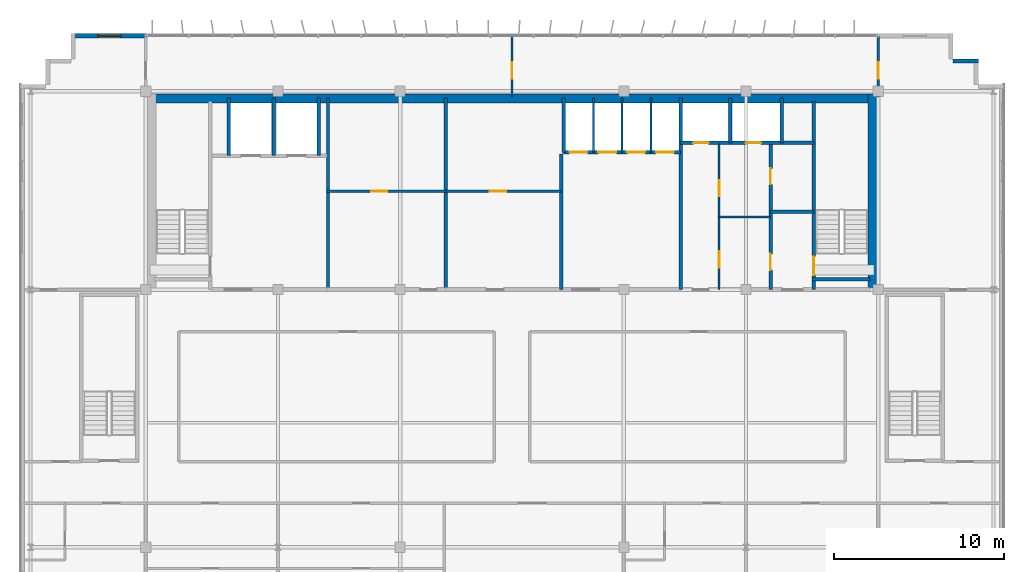
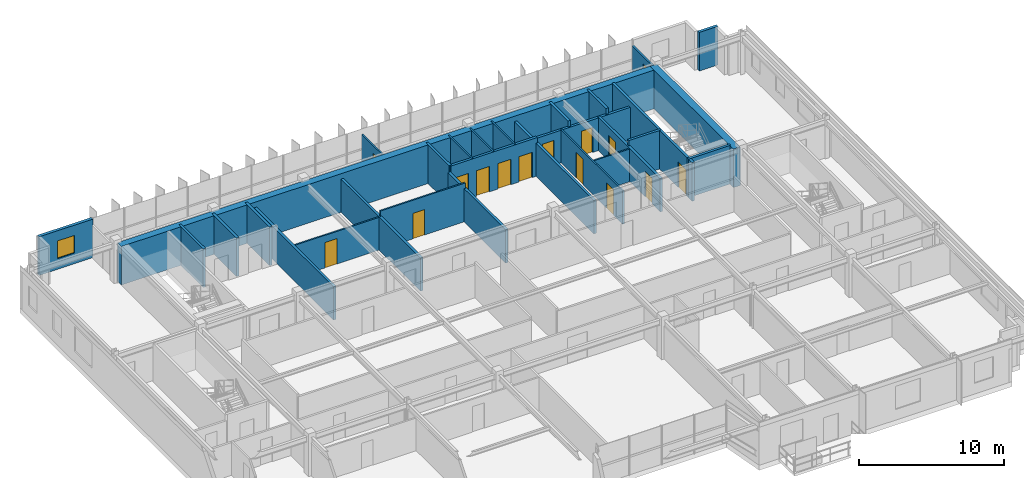
# One storey, part 24 of 28: 29 walls, 15 doors, 1 window, 16 openings.
"""IFC4 building model written with IfcOpenShell, lengths in metres."""

from ifc_helpers import new_model, si_unit, direction, frame, frame_2d, origin, place, context, subcontext, project, spatial, rectangle, extrude, source, transform, mapped, material, layer, layer_set, type_object, element, fill, save


model = new_model("IFC4")

# Units and contexts
model_context = context("Model", 3, precision=1e-05, world=origin(), true_north=direction((0.0, 1.0)))
body_context = subcontext(model_context, "Body", "Model", "MODEL_VIEW")
ifc_project = project(units=[si_unit("LENGTHUNIT", "METRE"), si_unit("AREAUNIT", "SQUARE_METRE"), si_unit("VOLUMEUNIT", "CUBIC_METRE"), si_unit("PLANEANGLEUNIT", "RADIAN"), si_unit("MASSUNIT", "GRAM", prefix="KILO")], contexts=[model_context])

# Site, building, storey
site_placement = place(None, origin())
site = spatial("IfcSite", under=ifc_project, at=site_placement, CompositionType="ELEMENT")
building_placement = place(site_placement, origin())
building = spatial("IfcBuilding", under=site, at=building_placement, Name="Trelvane Seafront Commons", CompositionType="ELEMENT")
storey_placement = place(building_placement, frame((0.0, 0.0, 295.5)))
storey = spatial("IfcBuildingStorey", under=building, at=storey_placement, Name="L77", CompositionType="ELEMENT", Elevation=295.5)

# Wall, opening, window
ifc_material_1 = material(Name="Precast concrete C40/50", Category="concrete")
ifc_layer_1 = layer(ifc_material_1, 0.239990234375, Name="ARCH-WALL-EXT240")
ifc_layer_set_1 = layer_set([ifc_layer_1], Name="Precast concrete C40/50")
wall_type_1 = type_object("IfcWallType", Name="ARCH-WALL-EXT240", PredefinedType="SOLIDWALL", material=ifc_layer_set_1)
wall_1_placement = place(storey_placement, frame((11.300048828125, 48.3701171875, 0.0), z_axis=(0.0, 0.0, 1.0), x_axis=(1.0, 0.0, 0.0)))
wall_1 = element("IfcWall", 1, at=wall_1_placement, inside=storey, type_object=wall_type_1, Name="EW-L77-NW-1557", PredefinedType="SOLIDWALL", context=body_context, shape_type="SweptSolid", body=[
    extrude(rectangle(XDim=4.300048828125, YDim=0.239990234375, at=frame_2d((2.14990234375, 0.0))), origin(), (0.0, 0.0, 1.0), 3.260009765625),
])
opening_1_placement = place(wall_1_placement, frame((1.47509765625, 0.0, 0.89990234375)))
opening_1 = element("IfcOpeningElement", 2, at=opening_1_placement, cuts=wall_1, Name="Opening W09", PredefinedType="OPENING", context=body_context, shape_type="SweptSolid", body=[
    extrude(rectangle(XDim=1.35009765625, YDim=1.5, at=frame_2d((0.675048828125, 0.75))), frame((0.0, 0.1298828125, 0.0), z_axis=(0.0, -1.0, 0.0), x_axis=(1.0, 0.0, 0.0)), (0.0, 0.0, 1.0), 0.260009765625),
])
ifc_material_2 = material(Name="Low-E coastal double glazing", Category="glass")
window_type = type_object("IfcWindowType", Name="ARCH-WIN-W09", PartitioningType="SINGLE_PANEL", PredefinedType="WINDOW", material=ifc_material_2)
shared_shape_1 = source(origin(), body_context, "Body", "SweptSolid", [
    extrude(rectangle(XDim=1.35009765625, YDim=1.5, at=frame_2d((0.675048828125, 0.75))), frame((0.0, 0.030029296875, 0.0), z_axis=(0.0, -1.0, 0.0), x_axis=(1.0, 0.0, 0.0)), (0.0, 0.0, 1.0), 0.06005859375),
])
window_placement = place(opening_1_placement, origin())
window = element("IfcWindow", 3, at=window_placement, inside=storey, type_object=window_type, Name="WIN-L77-01838", OverallHeight=1.5, OverallWidth=1.35009765625, PartitioningType="SINGLE_PANEL", PredefinedType="WINDOW", context=body_context, shape_type="MappedRepresentation", body=[
    mapped(shared_shape_1, transform((0.0, 0.0, 0.0), x_axis=(1.0, 0.0, 0.0), y_axis=(0.0, 1.0, 0.0), z_axis=(0.0, 0.0, 1.0), scale=1.0)),
])
fill(opening_1, window)

# Wall
wall_2_placement = place(storey_placement, frame((63.199951171875, 46.8798828125, 0.0), z_axis=(0.0, 0.0, 1.0), x_axis=(1.0, 0.0, 0.0)))
element("IfcWall", 4, at=wall_2_placement, inside=storey, type_object=wall_type_1, Name="EW-L77-01568", PredefinedType="SOLIDWALL", context=body_context, shape_type="SweptSolid", body=[
    extrude(rectangle(XDim=1.5, YDim=0.239990234375, at=frame_2d((0.75, 0.0))), origin(), (0.0, 0.0, 1.0), 3.260009765625),
])

# Wall, openings, doors
ifc_material_3 = material(Name="Concrete C40/50", Category="concrete")
ifc_layer_2 = layer(ifc_material_3, 0.199951171875, Name="ARCH-WALL-FIRE200")
ifc_layer_set_2 = layer_set([ifc_layer_2], Name="Concrete C40/50")
wall_type_2 = type_object("IfcWallType", Name="ARCH-WALL-FIRE200", PredefinedType="PARTITIONING", material=ifc_layer_set_2)
wall_3_placement = place(storey_placement, frame((52.449951171875, 33.39990234375, 0.0), z_axis=(0.0, 0.0, 1.0), x_axis=(0.0, 1.0, 0.0)))
wall_3 = element("IfcWall", 5, at=wall_3_placement, inside=storey, type_object=wall_type_2, Name="W-L77-ST2V-W-038", PredefinedType="PARTITIONING", context=body_context, shape_type="SweptSolid", body=[
    extrude(rectangle(XDim=8.650146484375, YDim=0.199951171875, at=frame_2d((4.3251953125, 0.0))), origin(), (0.0, 0.0, 1.0), 2.81005859375),
])
opening_2_placement = place(wall_3_placement, frame((1.14990234375, 0.0, 0.0)))
opening_2 = element("IfcOpeningElement", 6, at=opening_2_placement, cuts=wall_3, Name="Opening FD-L77-19", PredefinedType="OPENING", context=body_context, shape_type="SweptSolid", body=[
    extrude(rectangle(XDim=0.949951171875, YDim=2.14990234375, at=frame_2d((0.47509765625, 1.074951171875))), frame((0.0, 0.10986328125, 0.0), z_axis=(0.0, -1.0, 0.0), x_axis=(1.0, 0.0, 0.0)), (0.0, 0.0, 1.0), 0.219970703125),
])
opening_3_placement = place(wall_3_placement, frame((6.199951171875, 0.0, 0.0)))
opening_3 = element("IfcOpeningElement", 7, at=opening_3_placement, cuts=wall_3, Name="Opening FD-L77-20", PredefinedType="OPENING", context=body_context, shape_type="SweptSolid", body=[
    extrude(rectangle(XDim=0.949951171875, YDim=2.14990234375, at=frame_2d((0.47509765625, 1.074951171875))), frame((0.0, 0.10986328125, 0.0), z_axis=(0.0, -1.0, 0.0), x_axis=(1.0, 0.0, 0.0)), (0.0, 0.0, 1.0), 0.219970703125),
])
ifc_material_4 = material(Name="Powder-coated aluminium frame", Category="aluminium")
door_type_1 = type_object("IfcDoorType", Name="ARCH-DR-FD60-950", OperationType="NOTDEFINED", PredefinedType="DOOR", material=ifc_material_4)
shared_shape_2 = source(origin(), body_context, "Body", "SweptSolid", [
    extrude(rectangle(XDim=0.949951171875, YDim=2.14990234375, at=frame_2d((0.47509765625, 1.074951171875))), frame((0.0, 0.02490234375, 0.0), z_axis=(0.0, -1.0, 0.0), x_axis=(1.0, 0.0, 0.0)), (0.0, 0.0, 1.0), 0.050048828125),
])
door_1_placement = place(opening_2_placement, origin())
door_1 = element("IfcDoor", 8, at=door_1_placement, inside=storey, type_object=door_type_1, Name="L77 Core Service Vestibule Link Door", OperationType="SINGLE_SWING_LEFT", OverallHeight=2.14990234375, OverallWidth=0.949951171875, PredefinedType="DOOR", context=body_context, shape_type="MappedRepresentation", body=[
    mapped(shared_shape_2, transform((0.0, 0.0, 0.0), x_axis=(1.0, 0.0, 0.0), y_axis=(0.0, 1.0, 0.0), z_axis=(0.0, 0.0, 1.0), scale=1.0)),
])
fill(opening_2, door_1)
door_2_placement = place(opening_3_placement, origin())
door_2 = element("IfcDoor", 9, at=door_2_placement, inside=storey, type_object=door_type_1, Name="L77 Cleaner Store Door", OperationType="SINGLE_SWING_RIGHT", OverallHeight=2.14990234375, OverallWidth=0.949951171875, PredefinedType="DOOR", context=body_context, shape_type="MappedRepresentation", body=[
    mapped(shared_shape_2, transform((0.0, 0.0, 0.0), x_axis=(1.0, 0.0, 0.0), y_axis=(0.0, 1.0, 0.0), z_axis=(0.0, 0.0, 1.0), scale=1.0)),
])
fill(opening_3, door_2)

# Wall
wall_4_placement = place(storey_placement, frame((52.449951171875, 38.0, 0.0), z_axis=(0.0, 0.0, 1.0), x_axis=(1.0, 0.0, 0.0)))
element("IfcWall", 10, at=wall_4_placement, inside=storey, type_object=wall_type_2, Name="W-L77-ST2V-N-039", PredefinedType="PARTITIONING", context=body_context, shape_type="SweptSolid", body=[
    extrude(rectangle(XDim=2.550048828125, YDim=0.199951171875, at=frame_2d((1.27490234375, 0.0))), origin(), (0.0, 0.0, 1.0), 3.260009765625),
])

# Wall, opening, door
ifc_material_5 = material(Name="Gypsum Drywall Acoustic Partition")
ifc_layer_3 = layer(ifc_material_5, 0.1201171875, Name="ARCH-WALL-PART120")
ifc_layer_set_3 = layer_set([ifc_layer_3], Name="Gypsum Drywall Acoustic Partition")
wall_type_3 = type_object("IfcWallType", Name="ARCH-WALL-PART120", PredefinedType="PARTITIONING", material=ifc_layer_set_3)
wall_5_placement = place(storey_placement, frame((26.300048828125, 39.199951171875, 0.0), z_axis=(0.0, 0.0, 1.0), x_axis=(1.0, 0.0, 0.0)))
wall_5 = element("IfcWall", 11, at=wall_5_placement, inside=storey, type_object=wall_type_3, Name="W-L77-FREED-PL-MID-022", PredefinedType="PARTITIONING", context=body_context, shape_type="SweptSolid", body=[
    extrude(rectangle(XDim=7.0, YDim=0.1201171875, at=frame_2d((3.5, 0.0))), origin(), (0.0, 0.0, 1.0), 2.760009765625),
])
opening_4_placement = place(wall_5_placement, frame((2.60009765625, 0.0, 0.0)))
opening_4 = element("IfcOpeningElement", 12, at=opening_4_placement, cuts=wall_5, Name="Opening D-L77-08", PredefinedType="OPENING", context=body_context, shape_type="SweptSolid", body=[
    extrude(rectangle(XDim=0.949951171875, YDim=2.14990234375, at=frame_2d((0.47509765625, 1.074951171875))), frame((0.0, 0.070068359375, 0.0), z_axis=(0.0, -1.0, 0.0), x_axis=(1.0, 0.0, 0.0)), (0.0, 0.0, 1.0), 0.14013671875),
])
ifc_material_6 = material(Name="Acoustic timber door leaf", Category="wood")
door_type_2 = type_object("IfcDoorType", Name="ARCH-DR-INT950", OperationType="NOTDEFINED", PredefinedType="DOOR", material=ifc_material_6)
door_3_placement = place(opening_4_placement, origin())
door_3 = element("IfcDoor", 13, at=door_3_placement, inside=storey, type_object=door_type_2, Name="L77 Housekeeping Store Door", OperationType="SINGLE_SWING_RIGHT", OverallHeight=2.14990234375, OverallWidth=0.949951171875, PredefinedType="DOOR", context=body_context, shape_type="MappedRepresentation", body=[
    mapped(shared_shape_2, transform((0.0, 0.0, 0.0), x_axis=(1.0, 0.0, 0.0), y_axis=(0.0, 1.0, 0.0), z_axis=(0.0, 0.0, 1.0), scale=1.0)),
])
fill(opening_4, door_3)

wall_6_placement = place(storey_placement, frame((33.300048828125, 39.199951171875, 0.0), z_axis=(0.0, 0.0, 1.0), x_axis=(1.0, 0.0, 0.0)))
wall_6 = element("IfcWall", 14, at=wall_6_placement, inside=storey, type_object=wall_type_3, Name="W-L77-FREED-PM-MID-024", PredefinedType="PARTITIONING", context=body_context, shape_type="SweptSolid", body=[
    extrude(rectangle(XDim=6.800048828125, YDim=0.1201171875, at=frame_2d((3.39990234375, 0.0))), origin(), (0.0, 0.0, 1.0), 3.260009765625),
])
opening_5_placement = place(wall_6_placement, frame((2.60009765625, 0.0, 0.0)))
opening_5 = element("IfcOpeningElement", 15, at=opening_5_placement, cuts=wall_6, Name="Opening D-L77-09", PredefinedType="OPENING", context=body_context, shape_type="SweptSolid", body=[
    extrude(rectangle(XDim=0.949951171875, YDim=2.14990234375, at=frame_2d((0.47509765625, 1.074951171875))), frame((0.0, 0.070068359375, 0.0), z_axis=(0.0, -1.0, 0.0), x_axis=(1.0, 0.0, 0.0)), (0.0, 0.0, 1.0), 0.14013671875),
])
door_4_placement = place(opening_5_placement, origin())
door_4 = element("IfcDoor", 16, at=door_4_placement, inside=storey, type_object=door_type_2, Name="L77 IT Comms Room Door", OperationType="SINGLE_SWING_LEFT", OverallHeight=2.14990234375, OverallWidth=0.949951171875, PredefinedType="DOOR", context=body_context, shape_type="MappedRepresentation", body=[
    mapped(shared_shape_2, transform((0.0, 0.0, 0.0), x_axis=(1.0, 0.0, 0.0), y_axis=(0.0, 1.0, 0.0), z_axis=(0.0, 0.0, 1.0), scale=1.0)),
])
fill(opening_5, door_4)

# Walls
for number, where, z_axis, x_axis, name in (
    (17, (42.0, 41.5, 0.0), (0.0, 0.0, 1.0), (0.0, 1.0, 0.0), "W-L77-PH-DIV1-028"),
    (18, (43.699951171875, 41.5, 0.0), (0.0, 0.0, 1.0), (0.0, 1.0, 0.0), "W-L77-PH-DIV2-029"),
    (19, (45.39990234375, 41.5, 0.0), (0.0, 0.0, 1.0), (0.0, 1.0, 0.0), "W-L77-PH-DIV3-030"),
):
    element("IfcWall", number, at=place(storey_placement, frame(where, z_axis=z_axis, x_axis=x_axis)), inside=storey, type_object=wall_type_3, Name=name, PredefinedType="PARTITIONING", context=body_context, shape_type="SweptSolid", body=[
        extrude(rectangle(XDim=3.199951171875, YDim=0.1201171875, at=frame_2d((1.60009765625, 0.0))), origin(), (0.0, 0.0, 1.0), 3.260009765625),
    ])

# Wall, openings, doors
wall_7_placement = place(storey_placement, frame((49.419921875, 33.39990234375, 0.0), z_axis=(0.0, 0.0, 1.0), x_axis=(0.0, 1.0, 0.0)))
wall_7 = element("IfcWall", 20, at=wall_7_placement, inside=storey, type_object=wall_type_3, Name="W-L77-CYC0-V-040", PredefinedType="PARTITIONING", context=body_context, shape_type="SweptSolid", body=[
    extrude(rectangle(XDim=8.60009765625, YDim=0.1201171875, at=frame_2d((4.300048828125, 0.0))), origin(), (0.0, 0.0, 1.0), 2.81005859375),
])
opening_6_placement = place(wall_7_placement, frame((1.300048828125, 0.0, 0.0)))
opening_6 = element("IfcOpeningElement", 21, at=opening_6_placement, cuts=wall_7, Name="Opening D-L77-21", PredefinedType="OPENING", context=body_context, shape_type="SweptSolid", body=[
    extrude(rectangle(XDim=0.949951171875, YDim=2.14990234375, at=frame_2d((0.47509765625, 1.074951171875))), frame((0.0, 0.070068359375, 0.0), z_axis=(0.0, -1.0, 0.0), x_axis=(1.0, 0.0, 0.0)), (0.0, 0.0, 1.0), 0.14013671875),
])
opening_7_placement = place(wall_7_placement, frame((5.5, 0.0, 0.0)))
opening_7 = element("IfcOpeningElement", 22, at=opening_7_placement, cuts=wall_7, Name="Opening D-L77-22", PredefinedType="OPENING", context=body_context, shape_type="SweptSolid", body=[
    extrude(rectangle(XDim=0.949951171875, YDim=2.14990234375, at=frame_2d((0.47509765625, 1.074951171875))), frame((0.0, 0.070068359375, 0.0), z_axis=(0.0, -1.0, 0.0), x_axis=(1.0, 0.0, 0.0)), (0.0, 0.0, 1.0), 0.14013671875),
])
door_5_placement = place(opening_6_placement, origin())
door_5 = element("IfcDoor", 23, at=door_5_placement, inside=storey, type_object=door_type_2, Name="L77 Accessible WC Door", OperationType="SINGLE_SWING_LEFT", OverallHeight=2.14990234375, OverallWidth=0.949951171875, PredefinedType="DOOR", context=body_context, shape_type="MappedRepresentation", body=[
    mapped(shared_shape_2, transform((0.0, 0.0, 0.0), x_axis=(1.0, 0.0, 0.0), y_axis=(0.0, 1.0, 0.0), z_axis=(0.0, 0.0, 1.0), scale=1.0)),
])
fill(opening_6, door_5)
door_6_placement = place(opening_7_placement, origin())
door_6 = element("IfcDoor", 24, at=door_6_placement, inside=storey, type_object=door_type_2, Name="L77 Common WC Door", OperationType="SINGLE_SWING_RIGHT", OverallHeight=2.14990234375, OverallWidth=0.949951171875, PredefinedType="DOOR", context=body_context, shape_type="MappedRepresentation", body=[
    mapped(shared_shape_2, transform((0.0, 0.0, 0.0), x_axis=(1.0, 0.0, 0.0), y_axis=(0.0, 1.0, 0.0), z_axis=(0.0, 0.0, 1.0), scale=1.0)),
])
fill(opening_7, door_6)

# Wall
wall_8_placement = place(storey_placement, frame((49.419921875, 37.679931640625, 0.0), z_axis=(0.0, 0.0, 1.0), x_axis=(1.0, 0.0, 0.0)))
element("IfcWall", 25, at=wall_8_placement, inside=storey, type_object=wall_type_3, Name="W-L77-CYC0-H-041", PredefinedType="PARTITIONING", context=body_context, shape_type="SweptSolid", body=[
    extrude(rectangle(XDim=3.030029296875, YDim=0.1201171875, at=frame_2d((1.51513671875, 0.0))), origin(), (0.0, 0.0, 1.0), 2.760009765625),
])

# Wall, opening, door
wall_9_placement = place(storey_placement, frame((37.199951171875, 44.75, 0.0), z_axis=(0.0, 0.0, 1.0), x_axis=(0.0, 1.0, 0.0)))
wall_9 = element("IfcWall", 26, at=wall_9_placement, inside=storey, type_object=wall_type_3, Name="W-L77-N-MID-DV-055", PredefinedType="PARTITIONING", context=body_context, shape_type="SweptSolid", body=[
    extrude(rectangle(XDim=3.610107421875, YDim=0.1201171875, at=frame_2d((1.80517578125, 0.0))), origin(), (0.0, 0.0, 1.0), 2.81005859375),
])
opening_8_placement = place(wall_9_placement, frame((1.10009765625, 0.0, 0.0)))
opening_8 = element("IfcOpeningElement", 27, at=opening_8_placement, cuts=wall_9, Name="Opening D-L77-31", PredefinedType="OPENING", context=body_context, shape_type="SweptSolid", body=[
    extrude(rectangle(XDim=0.949951171875, YDim=2.14990234375, at=frame_2d((0.47509765625, 1.074951171875))), frame((0.0, 0.070068359375, 0.0), z_axis=(0.0, -1.0, 0.0), x_axis=(1.0, 0.0, 0.0)), (0.0, 0.0, 1.0), 0.14013671875),
])
door_7_placement = place(opening_8_placement, origin())
door_7 = element("IfcDoor", 28, at=door_7_placement, inside=storey, type_object=door_type_2, Name="L77 Door 31", OperationType="SINGLE_SWING_LEFT", OverallHeight=2.14990234375, OverallWidth=0.949951171875, PredefinedType="DOOR", context=body_context, shape_type="MappedRepresentation", body=[
    mapped(shared_shape_2, transform((0.0, 0.0, 0.0), x_axis=(1.0, 0.0, 0.0), y_axis=(0.0, 1.0, 0.0), z_axis=(0.0, 0.0, 1.0), scale=1.0)),
])
fill(opening_8, door_7)

ifc_layer_4 = layer(ifc_material_5, 0.14990234375, Name="ARCH-WALL-PART150")
ifc_layer_set_4 = layer_set([ifc_layer_4], Name="Gypsum Drywall Acoustic Partition")
wall_type_4 = type_object("IfcWallType", Name="ARCH-WALL-PART150", PredefinedType="PARTITIONING", material=ifc_layer_set_4)
wall_10_placement = place(storey_placement, frame((58.800048828125, 44.75, 0.0), z_axis=(0.0, 0.0, 1.0), x_axis=(0.0, 1.0, 0.0)))
wall_10 = element("IfcWall", 29, at=wall_10_placement, inside=storey, type_object=wall_type_4, Name="W-L77-N-LINK-E-057", PredefinedType="PARTITIONING", context=body_context, shape_type="SweptSolid", body=[
    extrude(rectangle(XDim=3.610107421875, YDim=0.14990234375, at=frame_2d((1.80517578125, 0.0))), origin(), (0.0, 0.0, 1.0), 2.760009765625),
])
opening_9_placement = place(wall_10_placement, frame((1.10009765625, 0.0, 0.0)))
opening_9 = element("IfcOpeningElement", 30, at=opening_9_placement, cuts=wall_10, Name="Opening FD-L77-33", PredefinedType="OPENING", context=body_context, shape_type="SweptSolid", body=[
    extrude(rectangle(XDim=0.949951171875, YDim=2.14990234375, at=frame_2d((0.47509765625, 1.074951171875))), frame((0.0, 0.0849609375, 0.0), z_axis=(0.0, -1.0, 0.0), x_axis=(1.0, 0.0, 0.0)), (0.0, 0.0, 1.0), 0.169921875),
])
door_8_placement = place(opening_9_placement, origin())
door_8 = element("IfcDoor", 31, at=door_8_placement, inside=storey, type_object=door_type_1, Name="L77 Door 33", OperationType="SINGLE_SWING_LEFT", OverallHeight=2.14990234375, OverallWidth=0.949951171875, PredefinedType="DOOR", context=body_context, shape_type="MappedRepresentation", body=[
    mapped(shared_shape_2, transform((0.0, 0.0, 0.0), x_axis=(1.0, 0.0, 0.0), y_axis=(0.0, 1.0, 0.0), z_axis=(0.0, 0.0, 1.0), scale=1.0)),
])
fill(opening_9, door_8)

# Walls
ifc_layer_5 = layer(ifc_material_3, 0.199951171875, Name="ARCH-WALL-SHAFT200")
ifc_layer_set_5 = layer_set([ifc_layer_5], Name="Concrete C40/50")
wall_type_5 = type_object("IfcWallType", Name="ARCH-WALL-SHAFT200", PredefinedType="SOLIDWALL", material=ifc_layer_set_5)
for number, where, z_axis, x_axis, name in (
    (32, (20.5, 41.300048828125, 0.0), (0.0, 0.0, 1.0), (0.0, 1.0, 0.0), "W-L77-FFL-SH-W-017"),
    (33, (23.14990234375, 41.300048828125, 0.0), (0.0, 0.0, 1.0), (0.0, 1.0, 0.0), "W-L77-FFL-DIV-018"),
    (34, (25.800048828125, 41.300048828125, 0.0), (0.0, 0.0, 1.0), (0.0, 1.0, 0.0), "W-L77-FFL-SH-E-019"),
):
    element("IfcWall", number, at=place(storey_placement, frame(where, z_axis=z_axis, x_axis=x_axis)), inside=storey, type_object=wall_type_5, Name=name, PredefinedType="SOLIDWALL", context=body_context, shape_type="SweptSolid", body=[
        extrude(rectangle(XDim=3.39990234375, YDim=0.199951171875, at=frame_2d((1.699951171875, 0.0))), origin(), (0.0, 0.0, 1.0), 3.260009765625),
    ])
for number, where, z_axis, x_axis, name in (
    (35, (26.35009765625, 33.39990234375, 0.0), (0.0, 0.0, 1.0), (0.0, 1.0, 0.0), "W-L77-FFL-EAST-020"),
    (36, (33.300048828125, 33.39990234375, 0.0), (0.0, 0.0, 1.0), (0.0, 1.0, 0.0), "W-L77-FREED-PL-E-023"),
):
    element("IfcWall", number, at=place(storey_placement, frame(where, z_axis=z_axis, x_axis=x_axis)), inside=storey, type_object=wall_type_5, Name=name, PredefinedType="SOLIDWALL", context=body_context, shape_type="SweptSolid", body=[
        extrude(rectangle(XDim=11.300048828125, YDim=0.199951171875, at=frame_2d((5.64990234375, 0.0))), origin(), (0.0, 0.0, 1.0), 2.81005859375),
    ])
wall_11_placement = place(storey_placement, frame((40.10009765625, 33.39990234375, 0.0), z_axis=(0.0, 0.0, 1.0), x_axis=(0.0, 1.0, 0.0)))
element("IfcWall", 37, at=wall_11_placement, inside=storey, type_object=wall_type_5, Name="W-L77-FREED-PM-E-025", PredefinedType="SOLIDWALL", context=body_context, shape_type="SweptSolid", body=[
    extrude(rectangle(XDim=8.0, YDim=0.199951171875, at=frame_2d((4.0, 0.0))), origin(), (0.0, 0.0, 1.0), 2.81005859375),
])

# Wall, openings, doors
wall_12_placement = place(storey_placement, frame((40.25, 41.5, 0.0), z_axis=(0.0, 0.0, 1.0), x_axis=(1.0, 0.0, 0.0)))
wall_12 = element("IfcWall", 38, at=wall_12_placement, inside=storey, type_object=wall_type_5, Name="W-L77-PH-FRONT-026", PredefinedType="SOLIDWALL", context=body_context, shape_type="SweptSolid", body=[
    extrude(rectangle(XDim=6.89990234375, YDim=0.199951171875, at=frame_2d((3.449951171875, 0.0))), origin(), (0.0, 0.0, 1.0), 3.260009765625),
])
opening_10_placement = place(wall_12_placement, frame((0.35009765625, 0.0, 0.0)))
opening_10 = element("IfcOpeningElement", 39, at=opening_10_placement, cuts=wall_12, Name="Opening LD-PH1-L77", PredefinedType="OPENING", context=body_context, shape_type="SweptSolid", body=[
    extrude(rectangle(XDim=1.050048828125, YDim=2.14990234375, at=frame_2d((0.52490234375, 1.074951171875))), frame((0.0, 0.10986328125, 0.0), z_axis=(0.0, -1.0, 0.0), x_axis=(1.0, 0.0, 0.0)), (0.0, 0.0, 1.0), 0.219970703125),
])
opening_11_placement = place(wall_12_placement, frame((2.050048828125, 0.0, 0.0)))
opening_11 = element("IfcOpeningElement", 40, at=opening_11_placement, cuts=wall_12, Name="Opening LD-PH2-L77", PredefinedType="OPENING", context=body_context, shape_type="SweptSolid", body=[
    extrude(rectangle(XDim=1.050048828125, YDim=2.14990234375, at=frame_2d((0.52490234375, 1.074951171875))), frame((0.0, 0.10986328125, 0.0), z_axis=(0.0, -1.0, 0.0), x_axis=(1.0, 0.0, 0.0)), (0.0, 0.0, 1.0), 0.219970703125),
])
opening_12_placement = place(wall_12_placement, frame((3.75, 0.0, 0.0)))
opening_12 = element("IfcOpeningElement", 41, at=opening_12_placement, cuts=wall_12, Name="Opening LD-PH3-L77", PredefinedType="OPENING", context=body_context, shape_type="SweptSolid", body=[
    extrude(rectangle(XDim=1.050048828125, YDim=2.14990234375, at=frame_2d((0.52490234375, 1.074951171875))), frame((0.0, 0.10986328125, 0.0), z_axis=(0.0, -1.0, 0.0), x_axis=(1.0, 0.0, 0.0)), (0.0, 0.0, 1.0), 0.219970703125),
])
opening_13_placement = place(wall_12_placement, frame((5.449951171875, 0.0, 0.0)))
opening_13 = element("IfcOpeningElement", 42, at=opening_13_placement, cuts=wall_12, Name="Opening LD-PH4-L77", PredefinedType="OPENING", context=body_context, shape_type="SweptSolid", body=[
    extrude(rectangle(XDim=1.050048828125, YDim=2.14990234375, at=frame_2d((0.52490234375, 1.074951171875))), frame((0.0, 0.10986328125, 0.0), z_axis=(0.0, -1.0, 0.0), x_axis=(1.0, 0.0, 0.0)), (0.0, 0.0, 1.0), 0.219970703125),
])
ifc_material_7 = material(Name="Stainless steel balustrade", Category="steel")
door_type_3 = type_object("IfcDoorType", Name="ARCH-DR-LD1050", OperationType="DOUBLE_DOOR_SLIDING", PredefinedType="DOOR", material=ifc_material_7)
shared_shape_3 = source(origin(), body_context, "Body", "SweptSolid", [
    extrude(rectangle(XDim=1.050048828125, YDim=2.14990234375, at=frame_2d((0.52490234375, 1.074951171875))), frame((0.0, 0.02490234375, 0.0), z_axis=(0.0, -1.0, 0.0), x_axis=(1.0, 0.0, 0.0)), (0.0, 0.0, 1.0), 0.050048828125),
])
door_9_placement = place(opening_10_placement, origin())
door_9 = element("IfcDoor", 43, at=door_9_placement, inside=storey, type_object=door_type_3, Name="L77 Passenger Lift PH-1 Landing Door", OperationType="DOUBLE_DOOR_SLIDING", OverallHeight=2.14990234375, OverallWidth=1.050048828125, PredefinedType="DOOR", context=body_context, shape_type="MappedRepresentation", body=[
    mapped(shared_shape_3, transform((0.0, 0.0, 0.0), x_axis=(1.0, 0.0, 0.0), y_axis=(0.0, 1.0, 0.0), z_axis=(0.0, 0.0, 1.0), scale=1.0)),
])
fill(opening_10, door_9)
door_10_placement = place(opening_11_placement, origin())
door_10 = element("IfcDoor", 44, at=door_10_placement, inside=storey, type_object=door_type_3, Name="L77 Passenger Lift PH-2 Landing Door", OperationType="DOUBLE_DOOR_SLIDING", OverallHeight=2.14990234375, OverallWidth=1.050048828125, PredefinedType="DOOR", context=body_context, shape_type="MappedRepresentation", body=[
    mapped(shared_shape_3, transform((0.0, 0.0, 0.0), x_axis=(1.0, 0.0, 0.0), y_axis=(0.0, 1.0, 0.0), z_axis=(0.0, 0.0, 1.0), scale=1.0)),
])
fill(opening_11, door_10)
door_11_placement = place(opening_12_placement, origin())
door_11 = element("IfcDoor", 45, at=door_11_placement, inside=storey, type_object=door_type_3, Name="L77 Passenger Lift PH-3 Landing Door", OperationType="DOUBLE_DOOR_SLIDING", OverallHeight=2.14990234375, OverallWidth=1.050048828125, PredefinedType="DOOR", context=body_context, shape_type="MappedRepresentation", body=[
    mapped(shared_shape_3, transform((0.0, 0.0, 0.0), x_axis=(1.0, 0.0, 0.0), y_axis=(0.0, 1.0, 0.0), z_axis=(0.0, 0.0, 1.0), scale=1.0)),
])
fill(opening_12, door_11)
door_12_placement = place(opening_13_placement, origin())
door_12 = element("IfcDoor", 46, at=door_12_placement, inside=storey, type_object=door_type_3, Name="L77 Passenger Lift PH-4 Landing Door", OperationType="DOUBLE_DOOR_SLIDING", OverallHeight=2.14990234375, OverallWidth=1.050048828125, PredefinedType="DOOR", context=body_context, shape_type="MappedRepresentation", body=[
    mapped(shared_shape_3, transform((0.0, 0.0, 0.0), x_axis=(1.0, 0.0, 0.0), y_axis=(0.0, 1.0, 0.0), z_axis=(0.0, 0.0, 1.0), scale=1.0)),
])
fill(opening_13, door_12)

# Walls
wall_13_placement = place(storey_placement, frame((40.25, 41.5, 0.0), z_axis=(0.0, 0.0, 1.0), x_axis=(0.0, 1.0, 0.0)))
element("IfcWall", 47, at=wall_13_placement, inside=storey, type_object=wall_type_5, Name="W-L77-PH-WEST-SH-027", PredefinedType="SOLIDWALL", context=body_context, shape_type="SweptSolid", body=[
    extrude(rectangle(XDim=3.199951171875, YDim=0.199951171875, at=frame_2d((1.60009765625, 0.0))), origin(), (0.0, 0.0, 1.0), 3.260009765625),
])
wall_14_placement = place(storey_placement, frame((47.14990234375, 33.39990234375, 0.0), z_axis=(0.0, 0.0, 1.0), x_axis=(0.0, 1.0, 0.0)))
element("IfcWall", 48, at=wall_14_placement, inside=storey, type_object=wall_type_5, Name="W-L77-PH-EAST-031", PredefinedType="SOLIDWALL", context=body_context, shape_type="SweptSolid", body=[
    extrude(rectangle(XDim=11.300048828125, YDim=0.199951171875, at=frame_2d((5.64990234375, 0.0))), origin(), (0.0, 0.0, 1.0), 2.81005859375),
])

# Wall, openings, doors
wall_15_placement = place(storey_placement, frame((47.14990234375, 42.050048828125, 0.0), z_axis=(0.0, 0.0, 1.0), x_axis=(1.0, 0.0, 0.0)))
wall_15 = element("IfcWall", 49, at=wall_15_placement, inside=storey, type_object=wall_type_5, Name="W-L77-RSR-S-035", PredefinedType="SOLIDWALL", context=body_context, shape_type="SweptSolid", body=[
    extrude(rectangle(XDim=7.85009765625, YDim=0.199951171875, at=frame_2d((3.925048828125, 0.0))), origin(), (0.0, 0.0, 1.0), 2.760009765625),
])
opening_14_placement = place(wall_15_placement, frame((0.75, 0.0, 0.0)))
opening_14 = element("IfcOpeningElement", 50, at=opening_14_placement, cuts=wall_15, Name="Opening FD-L77-17", PredefinedType="OPENING", context=body_context, shape_type="SweptSolid", body=[
    extrude(rectangle(XDim=0.89990234375, YDim=2.10009765625, at=frame_2d((0.449951171875, 1.050048828125))), frame((0.0, 0.10986328125, 0.0), z_axis=(0.0, -1.0, 0.0), x_axis=(1.0, 0.0, 0.0)), (0.0, 0.0, 1.0), 0.219970703125),
])
opening_15_placement = place(wall_15_placement, frame((3.85009765625, 0.0, 0.0)))
opening_15 = element("IfcOpeningElement", 51, at=opening_15_placement, cuts=wall_15, Name="Opening FD-L77-18", PredefinedType="OPENING", context=body_context, shape_type="SweptSolid", body=[
    extrude(rectangle(XDim=0.89990234375, YDim=2.10009765625, at=frame_2d((0.449951171875, 1.050048828125))), frame((0.0, 0.10986328125, 0.0), z_axis=(0.0, -1.0, 0.0), x_axis=(1.0, 0.0, 0.0)), (0.0, 0.0, 1.0), 0.219970703125),
])
door_type_4 = type_object("IfcDoorType", Name="ARCH-DR-FD60-900", OperationType="NOTDEFINED", PredefinedType="DOOR", material=ifc_material_4)
shared_shape_4 = source(origin(), body_context, "Body", "SweptSolid", [
    extrude(rectangle(XDim=0.89990234375, YDim=2.10009765625, at=frame_2d((0.449951171875, 1.050048828125))), frame((0.0, 0.02490234375, 0.0), z_axis=(0.0, -1.0, 0.0), x_axis=(1.0, 0.0, 0.0)), (0.0, 0.0, 1.0), 0.050048828125),
])
door_13_placement = place(opening_14_placement, origin())
door_13 = element("IfcDoor", 52, at=door_13_placement, inside=storey, type_object=door_type_4, Name="L77 Electrical Riser Access Door", OperationType="SINGLE_SWING_LEFT", OverallHeight=2.10009765625, OverallWidth=0.89990234375, PredefinedType="DOOR", context=body_context, shape_type="MappedRepresentation", body=[
    mapped(shared_shape_4, transform((0.0, 0.0, 0.0), x_axis=(1.0, 0.0, 0.0), y_axis=(0.0, 1.0, 0.0), z_axis=(0.0, 0.0, 1.0), scale=1.0)),
])
fill(opening_14, door_13)
door_14_placement = place(opening_15_placement, origin())
door_14 = element("IfcDoor", 53, at=door_14_placement, inside=storey, type_object=door_type_4, Name="L77 Mechanical Riser Access Door", OperationType="SINGLE_SWING_RIGHT", OverallHeight=2.10009765625, OverallWidth=0.89990234375, PredefinedType="DOOR", context=body_context, shape_type="MappedRepresentation", body=[
    mapped(shared_shape_4, transform((0.0, 0.0, 0.0), x_axis=(1.0, 0.0, 0.0), y_axis=(0.0, 1.0, 0.0), z_axis=(0.0, 0.0, 1.0), scale=1.0)),
])
fill(opening_15, door_14)

# Walls
for number, where, z_axis, x_axis, name in (
    (54, (50.080078125, 42.050048828125, 0.0), (0.0, 0.0, 1.0), (0.0, 1.0, 0.0), "W-L77-RSR-DIV-036"),
    (55, (53.10009765625, 42.050048828125, 0.0), (0.0, 0.0, 1.0), (0.0, 1.0, 0.0), "W-L77-RSR-E-037"),
):
    element("IfcWall", number, at=place(storey_placement, frame(where, z_axis=z_axis, x_axis=x_axis)), inside=storey, type_object=wall_type_5, Name=name, PredefinedType="SOLIDWALL", context=body_context, shape_type="SweptSolid", body=[
        extrude(rectangle(XDim=2.64990234375, YDim=0.199951171875, at=frame_2d((1.324951171875, 0.0))), origin(), (0.0, 0.0, 1.0), 3.260009765625),
    ])
ifc_material_8 = material(Name="Concrete C50/60", Category="concrete")
ifc_layer_6 = layer(ifc_material_8, 0.550048828125, Name="STR-WALL-CORE550")
ifc_layer_set_6 = layer_set([ifc_layer_6], Name="Concrete C50/60")
wall_type_6 = type_object("IfcWallType", Name="STR-WALL-CORE550", PredefinedType="SHEAR", material=ifc_layer_set_6)
wall_16_placement = place(storey_placement, frame((15.64990234375, 44.675048828125, 0.0), z_axis=(0.0, 0.0, 1.0), x_axis=(1.0, 0.0, 0.0)))
element("IfcWall", 56, at=wall_16_placement, inside=storey, type_object=wall_type_6, Name="W-L77-CN-ALL-001", PredefinedType="SHEAR", context=body_context, shape_type="SweptSolid", body=[
    extrude(rectangle(XDim=43.10009765625, YDim=0.550048828125, at=frame_2d((21.550048828125, 0.0))), origin(), (0.0, 0.0, 1.0), 3.260009765625),
])
wall_17_placement = place(storey_placement, frame((58.47509765625, 33.39990234375, 0.0), z_axis=(0.0, 0.0, 1.0), x_axis=(0.0, 1.0, 0.0)))
element("IfcWall", 57, at=wall_17_placement, inside=storey, type_object=wall_type_6, Name="W-L77-CE-END-003", PredefinedType="SHEAR", context=body_context, shape_type="SweptSolid", body=[
    extrude(rectangle(XDim=11.550048828125, YDim=0.550048828125, at=frame_2d((5.77490234375, 0.0))), origin(), (0.0, 0.0, 1.0), 3.260009765625),
])
ifc_layer_7 = layer(ifc_material_8, 0.199951171875, Name="STR-WALL-STAIR200")
ifc_layer_set_7 = layer_set([ifc_layer_7], Name="Concrete C50/60")
wall_type_7 = type_object("IfcWallType", Name="STR-WALL-STAIR200", PredefinedType="SHEAR", material=ifc_layer_set_7)
wall_18_placement = place(storey_placement, frame((54.89990234375, 34.0, 0.0), z_axis=(0.0, 0.0, 1.0), x_axis=(1.0, 0.0, 0.0)))
element("IfcWall", 58, at=wall_18_placement, inside=storey, type_object=wall_type_7, Name="W-L77-ST2-S-006", PredefinedType="SHEAR", context=body_context, shape_type="SweptSolid", body=[
    extrude(rectangle(XDim=3.400146484375, YDim=0.199951171875, at=frame_2d((1.7001953125, 0.0))), origin(), (0.0, 0.0, 1.0), 3.260009765625),
])

# Wall, opening, door
wall_19_placement = place(storey_placement, frame((55.0, 33.39990234375, 0.0), z_axis=(0.0, 0.0, 1.0), x_axis=(0.0, 1.0, 0.0)))
wall_19 = element("IfcWall", 59, at=wall_19_placement, inside=storey, type_object=wall_type_7, Name="W-L77-ST2-W-007", PredefinedType="SHEAR", context=body_context, shape_type="SweptSolid", body=[
    extrude(rectangle(XDim=11.10009765625, YDim=0.199951171875, at=frame_2d((5.550048828125, 0.0))), origin(), (0.0, 0.0, 1.0), 3.260009765625),
])
opening_16_placement = place(wall_19_placement, frame((0.85009765625, 0.0, 0.0)))
opening_16 = element("IfcOpeningElement", 60, at=opening_16_placement, cuts=wall_19, Name="Opening ST-D2-L77", PredefinedType="OPENING", context=body_context, shape_type="SweptSolid", body=[
    extrude(rectangle(XDim=1.10009765625, YDim=2.14990234375, at=frame_2d((0.550048828125, 1.074951171875))), frame((0.0, 0.10986328125, 0.0), z_axis=(0.0, -1.0, 0.0), x_axis=(1.0, 0.0, 0.0)), (0.0, 0.0, 1.0), 0.219970703125),
])
door_type_5 = type_object("IfcDoorType", Name="ARCH-DR-FD90-1100", OperationType="NOTDEFINED", PredefinedType="DOOR", material=ifc_material_4)
shared_shape_5 = source(origin(), body_context, "Body", "SweptSolid", [
    extrude(rectangle(XDim=1.10009765625, YDim=2.14990234375, at=frame_2d((0.550048828125, 1.074951171875))), frame((0.0, 0.02490234375, 0.0), z_axis=(0.0, -1.0, 0.0), x_axis=(1.0, 0.0, 0.0)), (0.0, 0.0, 1.0), 0.050048828125),
])
door_15_placement = place(opening_16_placement, origin())
door_15 = element("IfcDoor", 61, at=door_15_placement, inside=storey, type_object=door_type_5, Name="L77 Stair ST-2 Vestibule Fire Door", OperationType="SINGLE_SWING_RIGHT", OverallHeight=2.14990234375, OverallWidth=1.10009765625, PredefinedType="DOOR", context=body_context, shape_type="MappedRepresentation", body=[
    mapped(shared_shape_5, transform((0.0, 0.0, 0.0), x_axis=(1.0, 0.0, 0.0), y_axis=(0.0, 1.0, 0.0), z_axis=(0.0, 0.0, 1.0), scale=1.0)),
])
fill(opening_16, door_15)

save(model, "model.ifc")
